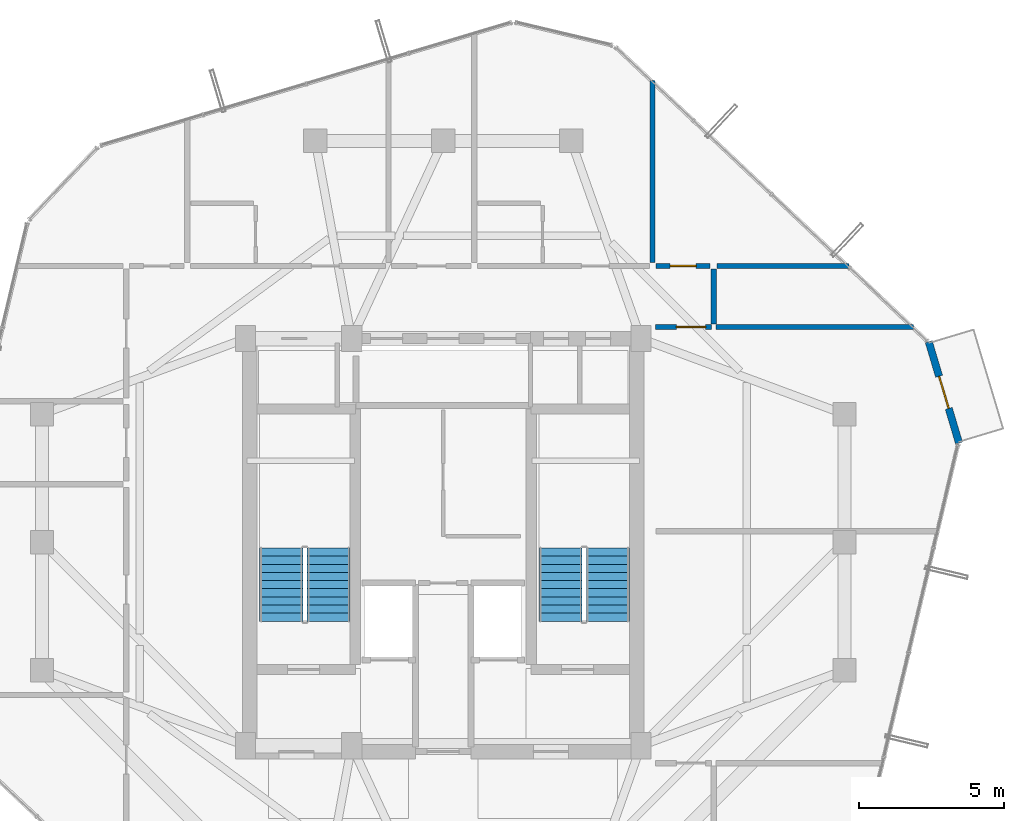
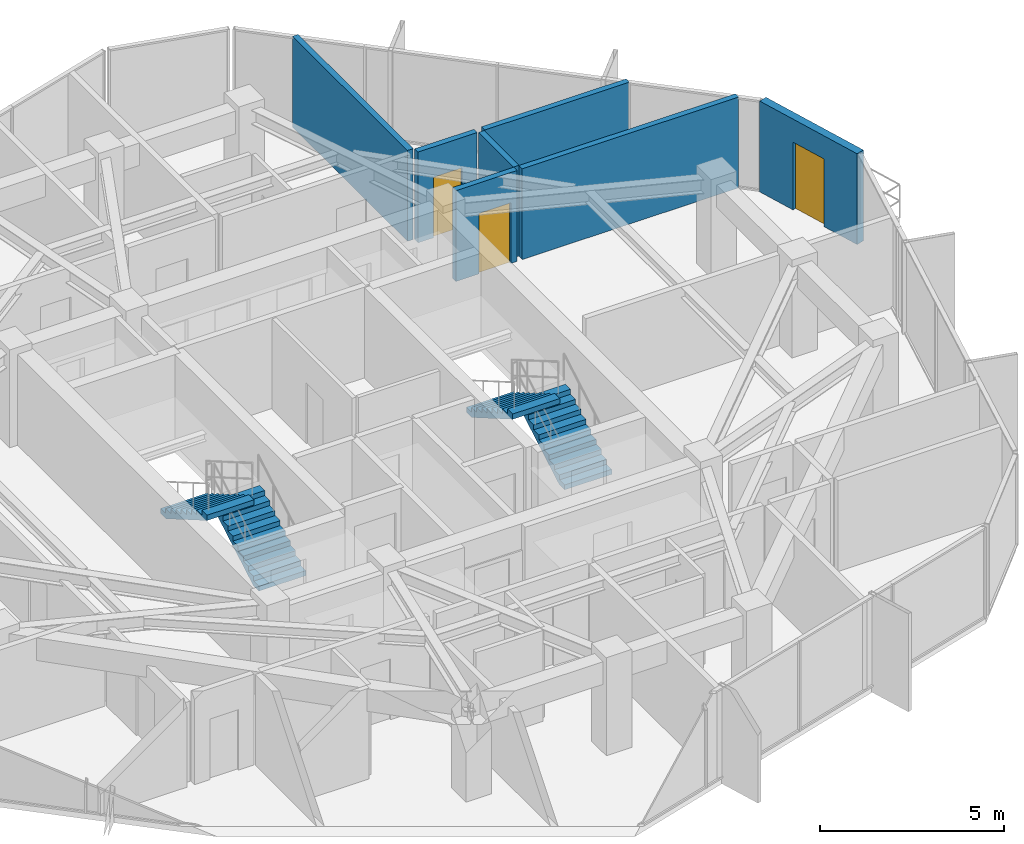
# One storey, part 26 of 28: 7 walls, 4 stair flights, 3 doors, 3 openings, 2 elements without a shape of their own.
"""IFC4 building model written with IfcOpenShell, lengths in metres."""

from ifc_helpers import new_model, si_unit, direction, frame, frame_2d, origin, place, context, subcontext, project, spatial, polyline, rectangle, outline, extrude, source, transform, mapped, material, layer, layer_set, type_object, element, fill, aggregate, save


model = new_model("IFC4")

# Units and contexts
model_context = context("Model", 3, precision=1e-05, world=origin(), true_north=direction((0.0, 1.0)))
body_context = subcontext(model_context, "Body", "Model", "MODEL_VIEW")
ifc_project = project(units=[si_unit("LENGTHUNIT", "METRE"), si_unit("AREAUNIT", "SQUARE_METRE"), si_unit("VOLUMEUNIT", "CUBIC_METRE"), si_unit("PLANEANGLEUNIT", "RADIAN"), si_unit("MASSUNIT", "GRAM", prefix="KILO")], contexts=[model_context])

# Site, building, storey
site_placement = place(None, origin())
site = spatial("IfcSite", under=ifc_project, at=site_placement, CompositionType="ELEMENT")
building_placement = place(site_placement, origin())
building = spatial("IfcBuilding", under=site, at=building_placement, Name="Veraguas Prism Commons", CompositionType="ELEMENT")
storey_placement = place(building_placement, frame((0.0, 0.0, 254.5)))
storey = spatial("IfcBuildingStorey", under=building, at=storey_placement, Name="L72", CompositionType="ELEMENT", Elevation=254.5)

# Walls
ifc_material_1 = material(Name="Autoclaved aerated masonry block 10 MPa", Category="masonry")
ifc_layer_1 = layer(ifc_material_1, 0.179931640625, Name="Corridor and Inter-Tenancy Partition 180", Category="masonry")
ifc_layer_set_1 = layer_set([ifc_layer_1], Name="Autoclaved aerated masonry block 10 MPa")
wall_type_1 = type_object("IfcWallType", Name="Corridor and Inter-Tenancy Partition 180", PredefinedType="PARTITIONING", material=ifc_layer_set_1)
wall_1_placement = place(storey_placement, frame((31.199951171875, 33.6201171875, 0.0), z_axis=(0.0, 0.0, 1.0), x_axis=(0.0, 1.0, 0.0)))
element("IfcWall", 1, at=wall_1_placement, inside=storey, type_object=wall_type_1, Name="WL-L72-PT015", PredefinedType="PARTITIONING", context=body_context, shape_type="SweptSolid", body=[
    extrude(rectangle(XDim=6.2509765625, YDim=0.179931640625, at=frame_2d((3.12548828125, 0.0))), origin(), (0.0, 0.0, 1.0), 3.014892578125),
])
wall_2_placement = place(storey_placement, frame((33.300048828125, 31.5, 0.0), z_axis=(0.0, 0.0, 1.0), x_axis=(0.0, 1.0, 0.0)))
element("IfcWall", 2, at=wall_2_placement, inside=storey, type_object=wall_type_1, Name="WL-L72-PT036", PredefinedType="PARTITIONING", context=body_context, shape_type="SweptSolid", body=[
    extrude(rectangle(XDim=1.89990234375, YDim=0.179931640625, at=frame_2d((0.949951171875, 0.0))), origin(), (0.0, 0.0, 1.0), 3.014892578125),
])

# Wall, opening, door
wall_3_placement = place(storey_placement, frame((31.300048828125, 31.39990234375, 0.0), z_axis=(0.0, 0.0, 1.0), x_axis=(1.0, 0.0, 0.0)))
wall_3 = element("IfcWall", 3, at=wall_3_placement, inside=storey, type_object=wall_type_1, Name="WL-L72-PT039", PredefinedType="PARTITIONING", context=body_context, shape_type="SweptSolid", body=[
    extrude(rectangle(XDim=1.919921875, YDim=0.179931640625, at=frame_2d((0.9599609375, 0.0))), origin(), (0.0, 0.0, 1.0), 3.014892578125),
])
opening_1_placement = place(wall_3_placement, frame((0.719970703125, 0.0, 0.0)))
opening_1 = element("IfcOpeningElement", 4, at=opening_1_placement, cuts=wall_3, Name="Opening DR-13", PredefinedType="OPENING", context=body_context, shape_type="SweptSolid", body=[
    extrude(rectangle(XDim=1.0, YDim=2.010009765625, at=frame_2d((0.5, 1.0048828125))), frame((0.0, 0.099853515625, 0.0), z_axis=(0.0, -1.0, 0.0), x_axis=(1.0, 0.0, 0.0)), (0.0, 0.0, 1.0), 0.199951171875),
])
ifc_material_2 = material(Name="Steel fire-rated door assembly", Category="steel")
door_type_1 = type_object("IfcDoorType", Name="Core Accessible WC and Clinic Fire Door 1000x2010", OperationType="NOTDEFINED", PredefinedType="DOOR", material=ifc_material_2)
shared_shape_1 = source(origin(), body_context, "Body", "SweptSolid", [
    extrude(rectangle(XDim=1.0, YDim=2.010009765625, at=frame_2d((0.5, 1.0048828125))), frame((0.0, 0.02490234375, 0.0), z_axis=(0.0, -1.0, 0.0), x_axis=(1.0, 0.0, 0.0)), (0.0, 0.0, 1.0), 0.050048828125),
])
door_1_placement = place(opening_1_placement, origin())
door_1 = element("IfcDoor", 5, at=door_1_placement, inside=storey, type_object=door_type_1, Name="Study Salon Door L72", OperationType="SINGLE_SWING_LEFT", OverallHeight=2.010009765625, OverallWidth=1.0, PredefinedType="DOOR", context=body_context, shape_type="MappedRepresentation", body=[
    mapped(shared_shape_1, transform((0.0, 0.0, 0.0), scale=1.0)),
])
fill(opening_1, door_1)

# Walls
wall_4_placement = place(storey_placement, frame((33.3798828125, 31.39990234375, 0.0), z_axis=(0.0, 0.0, 1.0), x_axis=(1.0, 0.0, 0.0)))
element("IfcWall", 6, at=wall_4_placement, inside=storey, type_object=wall_type_1, Name="WL-L72-PT040", PredefinedType="PARTITIONING", context=body_context, shape_type="SweptSolid", body=[
    extrude(rectangle(XDim=6.796875, YDim=0.179931640625, at=frame_2d((3.3984375, 0.0))), origin(), (0.0, 0.0, 1.0), 3.014892578125),
])
wall_5_placement = place(storey_placement, frame((33.419921875, 33.5, 0.0), z_axis=(0.0, 0.0, 1.0), x_axis=(1.0, 0.0, 0.0)))
element("IfcWall", 7, at=wall_5_placement, inside=storey, type_object=wall_type_1, Name="WL-L72-PT045", PredefinedType="PARTITIONING", context=body_context, shape_type="SweptSolid", body=[
    extrude(rectangle(XDim=4.531494140625, YDim=0.179931640625, at=frame_2d((2.265625, 0.0))), origin(), (0.0, 0.0, 1.0), 3.014892578125),
])

# Wall, opening, door
wall_6_placement = place(storey_placement, frame((31.320068359375, 33.5, 0.0), z_axis=(0.0, 0.0, 1.0), x_axis=(1.0, 0.0, 0.0)))
wall_6 = element("IfcWall", 8, at=wall_6_placement, inside=storey, type_object=wall_type_1, Name="WL-L72-PT046", PredefinedType="PARTITIONING", context=body_context, shape_type="SweptSolid", body=[
    extrude(rectangle(XDim=1.85986328125, YDim=0.179931640625, at=frame_2d((0.929931640625, 0.0))), origin(), (0.0, 0.0, 1.0), 3.014892578125),
])
opening_2_placement = place(wall_6_placement, frame((0.47998046875, 0.0, 0.0)))
opening_2 = element("IfcOpeningElement", 9, at=opening_2_placement, cuts=wall_6, Name="Opening DR-14", PredefinedType="OPENING", context=body_context, shape_type="SweptSolid", body=[
    extrude(rectangle(XDim=0.89990234375, YDim=2.010009765625, at=frame_2d((0.449951171875, 1.0048828125))), frame((0.0, 0.099853515625, 0.0), z_axis=(0.0, -1.0, 0.0), x_axis=(1.0, 0.0, 0.0)), (0.0, 0.0, 1.0), 0.199951171875),
])
door_type_2 = type_object("IfcDoorType", Name="Core Service Room Fire Door 900x2010", OperationType="NOTDEFINED", PredefinedType="DOOR", material=ifc_material_2)
shared_shape_2 = source(origin(), body_context, "Body", "SweptSolid", [
    extrude(rectangle(XDim=0.89990234375, YDim=2.010009765625, at=frame_2d((0.449951171875, 1.0048828125))), frame((0.0, 0.02490234375, 0.0), z_axis=(0.0, -1.0, 0.0), x_axis=(1.0, 0.0, 0.0)), (0.0, 0.0, 1.0), 0.050048828125),
])
door_2_placement = place(opening_2_placement, origin())
door_2 = element("IfcDoor", 10, at=door_2_placement, inside=storey, type_object=door_type_2, Name="Residents Corner Study Room NE Door", OperationType="SINGLE_SWING_LEFT", OverallHeight=2.010009765625, OverallWidth=0.89990234375, PredefinedType="DOOR", context=body_context, shape_type="MappedRepresentation", body=[
    mapped(shared_shape_2, transform((0.0, 0.0, 0.0), scale=1.0)),
])
fill(opening_2, door_2)

ifc_material_3 = material(Name="Precast concrete C40/50", Category="concrete")
ifc_layer_2 = layer(ifc_material_3, 0.25, Name="External Loggia and Portal Wall 250", Category="concrete")
ifc_layer_set_2 = layer_set([ifc_layer_2], Name="Precast concrete C40/50")
wall_type_2 = type_object("IfcWallType", Name="External Loggia and Portal Wall 250", PredefinedType="SOLIDWALL", material=ifc_layer_set_2)
wall_7_placement = place(storey_placement, frame((41.739501953125, 27.407470703125, 0.0), z_axis=(0.0, 0.0, 1.0), x_axis=(-0.286720644461, 0.958014233736, 0.0)))
wall_7 = element("IfcWall", 11, at=wall_7_placement, inside=storey, type_object=wall_type_2, Name="Corner Loggia Wall L72-C1", PredefinedType="SOLIDWALL", context=body_context, shape_type="SweptSolid", body=[
    extrude(rectangle(XDim=3.642578125, YDim=0.25, at=frame_2d((1.8212890625, 0.0))), origin(), (0.0, 0.0, 1.0), 3.014892578125),
])
opening_3_placement = place(wall_7_placement, frame((1.24609375, 0.0, 0.0)))
opening_3 = element("IfcOpeningElement", 12, at=opening_3_placement, cuts=wall_7, Name="Opening DR-10", PredefinedType="OPENING", context=body_context, shape_type="SweptSolid", body=[
    extrude(rectangle(XDim=1.14990234375, YDim=2.25, at=frame_2d((0.574951171875, 1.125))), frame((0.0, 0.135009765625, 0.0), z_axis=(0.0, -1.0, 0.0), x_axis=(1.0, 0.0, 0.0)), (0.0, 0.0, 1.0), 0.27001953125),
])
ifc_material_4 = material(Name="Anodised aluminium EN AW-6063 T6", Category="aluminium")
door_type_3 = type_object("IfcDoorType", Name="Glazed Loggia and Terrace Door 1150x2250", OperationType="NOTDEFINED", PredefinedType="DOOR", material=ifc_material_4)
shared_shape_3 = source(origin(), body_context, "Body", "SweptSolid", [
    extrude(rectangle(XDim=1.14990234375, YDim=2.25, at=frame_2d((0.574951171875, 1.125))), frame((0.0, 0.02490234375, 0.0), z_axis=(0.0, -1.0, 0.0), x_axis=(1.0, 0.0, 0.0)), (0.0, 0.0, 1.0), 0.050048828125),
])
door_3_placement = place(opening_3_placement, frame((1.14990234375, 0.0, 0.0), z_axis=(0.0, 0.0, 1.0), x_axis=(-1.0, 0.0, 0.0)))
door_3 = element("IfcDoor", 13, at=door_3_placement, inside=storey, type_object=door_type_3, Name="Recessed Loggia Door L72-C1", OperationType="SINGLE_SWING_RIGHT", OverallHeight=2.25, OverallWidth=1.14990234375, PredefinedType="DOOR", context=body_context, shape_type="MappedRepresentation", body=[
    mapped(shared_shape_3, transform((0.0, 0.0, 0.0), scale=1.0)),
])
fill(opening_3, door_3)

# Stair, stair flights
ifc_material_5 = material(Name="Precast concrete C45/55", Category="concrete")
stair_type = type_object("IfcStairType", Name="Dogleg Core Stair 1480W 20R 05", PredefinedType="HALF_TURN_STAIR", material=ifc_material_5)
stair_1_placement = place(storey_placement, origin())
stair_1 = element("IfcStair", 14, at=stair_1_placement, inside=storey, type_object=stair_type, Name="Protected Exit Stair ST-01 L72", PredefinedType="HALF_TURN_STAIR")
stair_flight_type = type_object("IfcStairFlightType", Name="Precast Stair Flight 1480W 10R 05", PredefinedType="STRAIGHT", material=ifc_material_5)
stair_flight_1_placement = place(storey_placement, frame((20.06005859375, 21.280029296875, 0.0), z_axis=(0.0, 0.0, 1.0), x_axis=(0.0, 1.0, 0.0)))
stair_flight_1 = element("IfcStairFlight", 15, at=stair_flight_1_placement, type_object=stair_flight_type, Name="ST-05 Flight 1", NumberOfRisers=10, NumberOfTreads=9, PredefinedType="STRAIGHT", RiserHeight=0.1625, TreadLength=0.28, context=body_context, shape_type="SweptSolid", body=[
    extrude(outline(polyline([(0.0, 0.0), (0.0, 0.16259765625), (0.280029296875, 0.16259765625), (0.280029296875, 0.324951171875), (0.56005859375, 0.324951171875), (0.56005859375, 0.487548828125), (0.840087890625, 0.487548828125), (0.840087890625, 0.64990234375), (1.1201171875, 0.64990234375), (1.1201171875, 0.8125), (1.39990234375, 0.8125), (1.39990234375, 0.97509765625), (1.679931640625, 0.97509765625), (1.679931640625, 1.137451171875), (1.9599609375, 1.137451171875), (1.9599609375, 1.300048828125), (2.239990234375, 1.300048828125), (2.239990234375, 1.46240234375), (2.52001953125, 1.46240234375), (2.52001953125, 1.625), (2.52001953125, 1.2890625), (0.298583984375, 0.0), (0.0, 0.0)])), frame((0.0, 0.739990234375, 0.0), z_axis=(0.0, -1.0, 0.0), x_axis=(1.0, 0.0, 0.0)), (0.0, 0.0, 1.0), 1.47998046875),
])
stair_flight_2_placement = place(storey_placement, frame((18.429931640625, 23.800048828125, 1.625), z_axis=(0.0, 0.0, 1.0), x_axis=(0.0, -1.0, 0.0)))
stair_flight_2 = element("IfcStairFlight", 16, at=stair_flight_2_placement, type_object=stair_flight_type, Name="ST-05 Flight 2", NumberOfRisers=10, NumberOfTreads=9, PredefinedType="STRAIGHT", RiserHeight=0.1625, TreadLength=0.28, context=body_context, shape_type="SweptSolid", body=[
    extrude(outline(polyline([(0.0, 0.0), (0.0, 0.16259765625), (0.280029296875, 0.16259765625), (0.280029296875, 0.324951171875), (0.56005859375, 0.324951171875), (0.56005859375, 0.487548828125), (0.840087890625, 0.487548828125), (0.840087890625, 0.64990234375), (1.1201171875, 0.64990234375), (1.1201171875, 0.8125), (1.39990234375, 0.8125), (1.39990234375, 0.97509765625), (1.679931640625, 0.97509765625), (1.679931640625, 1.137451171875), (1.9599609375, 1.137451171875), (1.9599609375, 1.300048828125), (2.239990234375, 1.300048828125), (2.239990234375, 1.46240234375), (2.52001953125, 1.46240234375), (2.52001953125, 1.625), (2.52001953125, 1.2890625), (0.298583984375, 0.0), (0.0, 0.0)])), frame((0.0, 0.739990234375, 0.0), z_axis=(0.0, -1.0, 0.0), x_axis=(1.0, 0.0, 0.0)), (0.0, 0.0, 1.0), 1.47998046875),
])
aggregate(stair_1, [stair_flight_1, stair_flight_2])

stair_2_placement = place(storey_placement, origin())
stair_2 = element("IfcStair", 17, at=stair_2_placement, inside=storey, type_object=stair_type, Name="Protected Exit Stair ST-02 L72", PredefinedType="HALF_TURN_STAIR")
stair_flight_3_placement = place(storey_placement, frame((29.659912109375, 21.280029296875, 0.0), z_axis=(0.0, 0.0, 1.0), x_axis=(0.0, 1.0, 0.0)))
stair_flight_3 = element("IfcStairFlight", 18, at=stair_flight_3_placement, type_object=stair_flight_type, Name="ST-05 Flight 1", NumberOfRisers=10, NumberOfTreads=9, PredefinedType="STRAIGHT", RiserHeight=0.1625, TreadLength=0.28, context=body_context, shape_type="SweptSolid", body=[
    extrude(outline(polyline([(0.0, 0.0), (0.0, 0.16259765625), (0.280029296875, 0.16259765625), (0.280029296875, 0.324951171875), (0.56005859375, 0.324951171875), (0.56005859375, 0.487548828125), (0.840087890625, 0.487548828125), (0.840087890625, 0.64990234375), (1.1201171875, 0.64990234375), (1.1201171875, 0.8125), (1.39990234375, 0.8125), (1.39990234375, 0.97509765625), (1.679931640625, 0.97509765625), (1.679931640625, 1.137451171875), (1.9599609375, 1.137451171875), (1.9599609375, 1.300048828125), (2.239990234375, 1.300048828125), (2.239990234375, 1.46240234375), (2.52001953125, 1.46240234375), (2.52001953125, 1.625), (2.52001953125, 1.2890625), (0.298583984375, 0.0), (0.0, 0.0)])), frame((0.0, 0.739990234375, 0.0), z_axis=(0.0, -1.0, 0.0), x_axis=(1.0, 0.0, 0.0)), (0.0, 0.0, 1.0), 1.47998046875),
])
stair_flight_4_placement = place(storey_placement, frame((28.030029296875, 23.800048828125, 1.625), z_axis=(0.0, 0.0, 1.0), x_axis=(0.0, -1.0, 0.0)))
stair_flight_4 = element("IfcStairFlight", 19, at=stair_flight_4_placement, type_object=stair_flight_type, Name="ST-05 Flight 2", NumberOfRisers=10, NumberOfTreads=9, PredefinedType="STRAIGHT", RiserHeight=0.1625, TreadLength=0.28, context=body_context, shape_type="SweptSolid", body=[
    extrude(outline(polyline([(0.0, 0.0), (0.0, 0.16259765625), (0.280029296875, 0.16259765625), (0.280029296875, 0.324951171875), (0.56005859375, 0.324951171875), (0.56005859375, 0.487548828125), (0.840087890625, 0.487548828125), (0.840087890625, 0.64990234375), (1.1201171875, 0.64990234375), (1.1201171875, 0.8125), (1.39990234375, 0.8125), (1.39990234375, 0.97509765625), (1.679931640625, 0.97509765625), (1.679931640625, 1.137451171875), (1.9599609375, 1.137451171875), (1.9599609375, 1.300048828125), (2.239990234375, 1.300048828125), (2.239990234375, 1.46240234375), (2.52001953125, 1.46240234375), (2.52001953125, 1.625), (2.52001953125, 1.2890625), (0.298583984375, 0.0), (0.0, 0.0)])), frame((0.0, 0.739990234375, 0.0), z_axis=(0.0, -1.0, 0.0), x_axis=(1.0, 0.0, 0.0)), (0.0, 0.0, 1.0), 1.47998046875),
])
aggregate(stair_2, [stair_flight_3, stair_flight_4])

save(model, "model.ifc")
